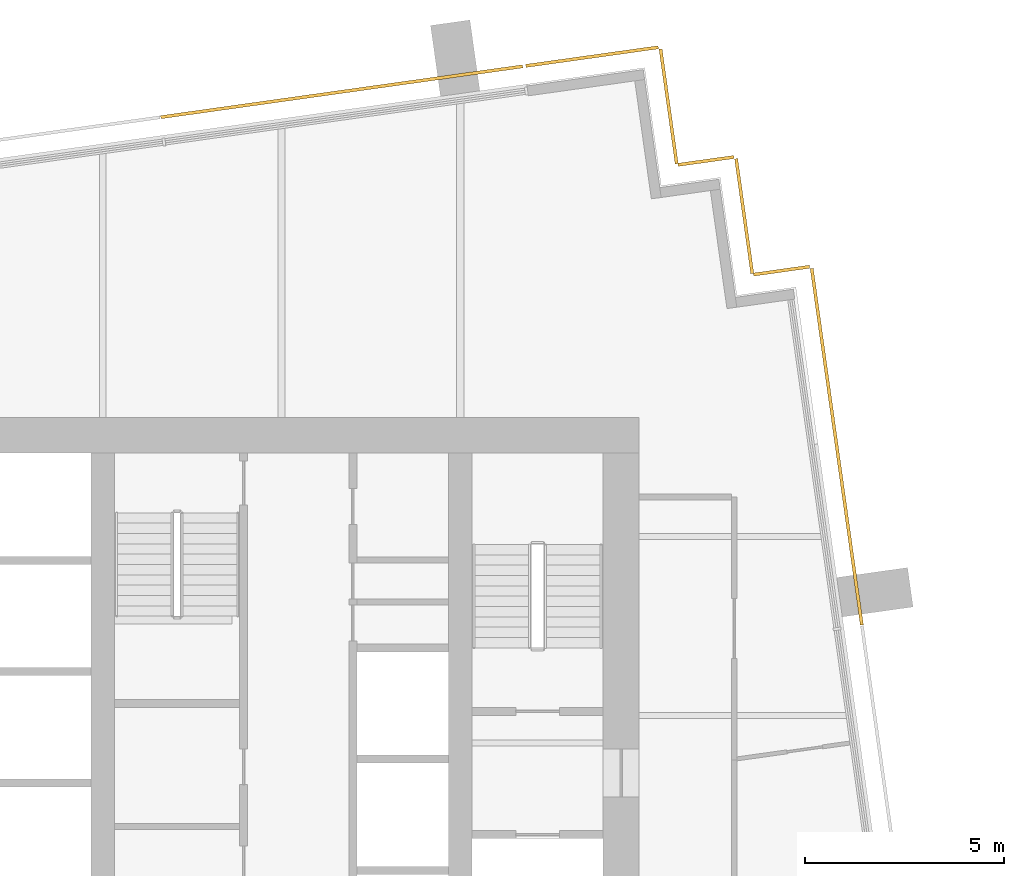
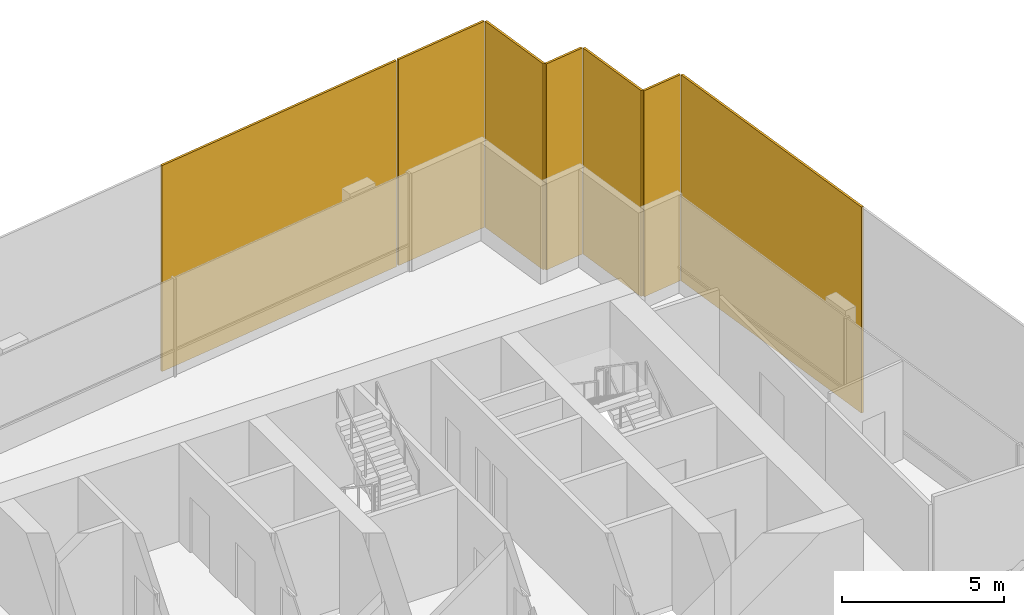
# One storey, part 15 of 15: 7 coverings.
"""IFC4 building model written with IfcOpenShell, lengths in metres."""

from ifc_helpers import new_model, si_unit, direction, frame, origin, origin_2d, place, context, subcontext, project, spatial, rectangle, extrude, material, layer, layer_set, type_object, element, save


model = new_model("IFC4")

# Units and contexts
model_context = context("Model", 3, precision=1e-05, world=origin(), true_north=direction((0.0, 1.0)))
body_context = subcontext(model_context, "Body", "Model", "MODEL_VIEW")
ifc_project = project(units=[si_unit("LENGTHUNIT", "METRE"), si_unit("AREAUNIT", "SQUARE_METRE"), si_unit("VOLUMEUNIT", "CUBIC_METRE"), si_unit("PLANEANGLEUNIT", "RADIAN"), si_unit("MASSUNIT", "GRAM", prefix="KILO")], contexts=[model_context])

# Site, building, storey
site_placement = place(None, origin())
site = spatial("IfcSite", under=ifc_project, at=site_placement, CompositionType="ELEMENT")
building_placement = place(site_placement, origin())
building = spatial("IfcBuilding", under=site, at=building_placement, Name="Rattan Terrace Tower", CompositionType="ELEMENT")
storey_placement = place(building_placement, frame((0.0, 0.0, 255.10009765625)))
storey = spatial("IfcBuildingStorey", under=building, at=storey_placement, Name="L58", CompositionType="ELEMENT", Elevation=255.10009765625)

# Coverings
ifc_material = material(Name="Perforated terracotta", Category="masonry")
ifc_layer = layer(ifc_material, 0.080078125)
ifc_layer_set = layer_set([ifc_layer], Name="Facade Terracotta Screen Panel HZ")
covering_type = type_object("IfcCoveringType", Name="Facade Terracotta Screen Panel HZ", PredefinedType="CLADDING", material=ifc_layer_set)
covering_1_placement = place(storey_placement, frame((22.9814453125, 6.76416015625, -0.18994140625), z_axis=(0.0, 0.0, 1.0), x_axis=(-0.139191775431, 0.990265444036, 0.0)))
element("IfcCovering", 1, at=covering_1_placement, inside=storey, type_object=covering_type, Name="OUTER SKIN panel L58-8", PredefinedType="CLADDING", context=body_context, shape_type="SweptSolid", body=[
    extrude(rectangle(XDim=9.066162109375, YDim=0.080078125, at=origin_2d()), origin(), (0.0, 0.0, 1.0), 7.780029296875),
])
covering_2_placement = place(storey_placement, frame((21.591064453125, 11.19677734375, -0.18994140625), z_axis=(0.0, 0.0, 1.0), x_axis=(-0.990240767803, -0.139367219175, 0.0)))
element("IfcCovering", 2, at=covering_2_placement, inside=storey, type_object=covering_type, Name="OUTER SKIN panel L58-9", PredefinedType="CLADDING", context=body_context, shape_type="SweptSolid", body=[
    extrude(rectangle(XDim=1.419677734375, YDim=0.080078125, at=origin_2d()), origin(), (0.0, 0.0, 1.0), 7.780029296875),
])
covering_3_placement = place(storey_placement, frame((20.65087890625, 12.569091796875, -0.18994140625), z_axis=(0.0, 0.0, 1.0), x_axis=(-0.139321220646, 0.990247240581, 0.0)))
element("IfcCovering", 3, at=covering_3_placement, inside=storey, type_object=covering_type, Name="OUTER SKIN panel L58-10", PredefinedType="CLADDING", context=body_context, shape_type="SweptSolid", body=[
    extrude(rectangle(XDim=2.919921875, YDim=0.080078125, at=origin_2d()), origin(), (0.0, 0.0, 1.0), 7.780029296875),
])
covering_4_placement = place(storey_placement, frame((19.68798828125, 13.958984375, -0.18994140625), z_axis=(0.0, 0.0, 1.0), x_axis=(-0.990332587523, -0.138713251317, 0.0)))
element("IfcCovering", 4, at=covering_4_placement, inside=storey, type_object=covering_type, Name="OUTER SKIN panel L58-11", PredefinedType="CLADDING", context=body_context, shape_type="SweptSolid", body=[
    extrude(rectangle(XDim=1.41943359375, YDim=0.080078125, at=origin_2d()), origin(), (0.0, 0.0, 1.0), 7.780029296875),
])
covering_5_placement = place(storey_placement, frame((18.747802734375, 15.33154296875, -0.18994140625), z_axis=(0.0, 0.0, 1.0), x_axis=(-0.139367219175, 0.990240767803, 0.0)))
element("IfcCovering", 5, at=covering_5_placement, inside=storey, type_object=covering_type, Name="OUTER SKIN panel L58-12", PredefinedType="CLADDING", context=body_context, shape_type="SweptSolid", body=[
    extrude(rectangle(XDim=2.91943359375, YDim=0.080078125, at=origin_2d()), origin(), (0.0, 0.0, 1.0), 7.780029296875),
])
covering_6_placement = place(storey_placement, frame((16.81982421875, 16.585205078125, -0.18994140625), z_axis=(0.0, 0.0, 1.0), x_axis=(-0.990286729519, -0.139040257974, 0.0)))
element("IfcCovering", 6, at=covering_6_placement, inside=storey, type_object=covering_type, Name="OUTER SKIN panel L58-13", PredefinedType="CLADDING", context=body_context, shape_type="SweptSolid", body=[
    extrude(rectangle(XDim=3.368896484375, YDim=0.080078125, at=origin_2d()), origin(), (0.0, 0.0, 1.0), 7.780029296875),
])
covering_7_placement = place(storey_placement, frame((10.517578125, 15.69970703125, -0.18994140625), z_axis=(0.0, 0.0, 1.0), x_axis=(-0.990265894013, -0.139188574079, 0.0)))
element("IfcCovering", 7, at=covering_7_placement, inside=storey, type_object=covering_type, Name="OUTER SKIN panel L58-14", PredefinedType="CLADDING", context=body_context, shape_type="SweptSolid", body=[
    extrude(rectangle(XDim=9.198974609375, YDim=0.080078125, at=origin_2d()), origin(), (0.0, 0.0, 1.0), 7.780029296875),
])

save(model, "model.ifc")
